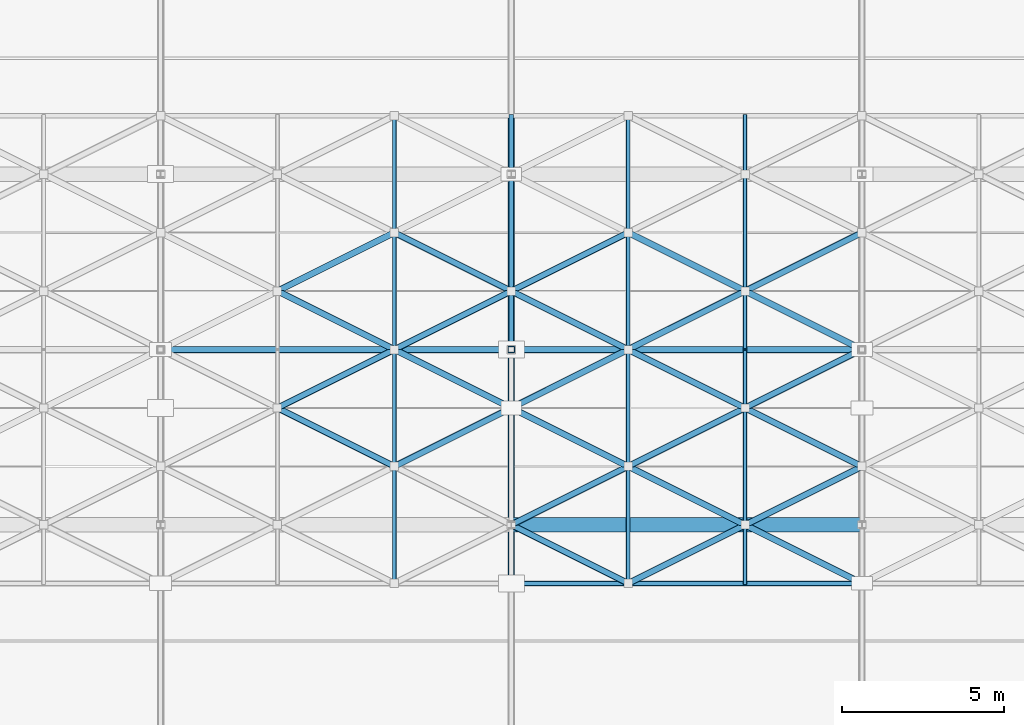
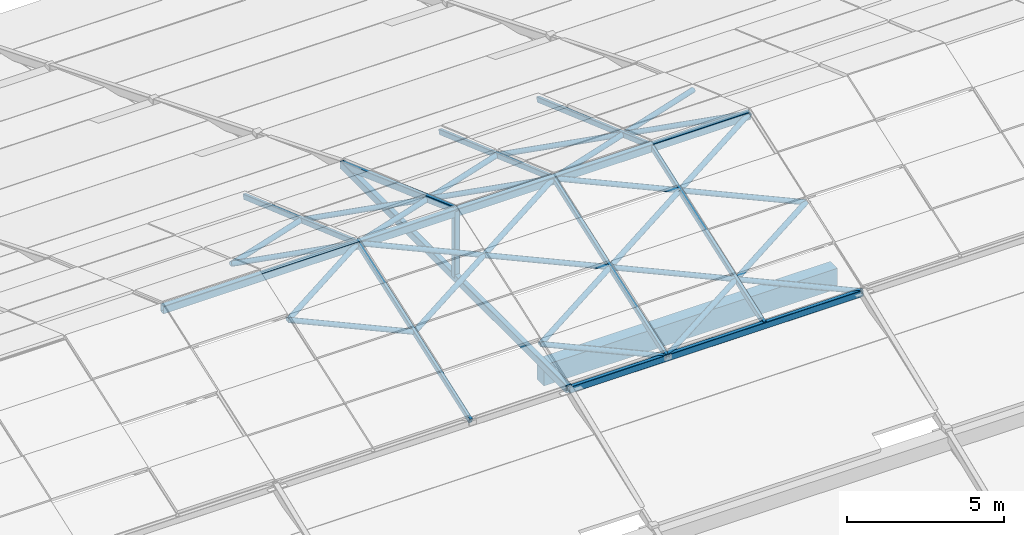
# One storey, part 45 of 112: 38 members, 1 beam.
"""IFC4 building model written with IfcOpenShell, lengths in metres."""

from ifc_helpers import new_model, si_unit, direction, frame, origin, origin_2d, place, context, subcontext, project, spatial, rectangle, hollow_rectangle, hollow_circle, extrude, material, material_profile, profile_set, type_object, element, save


model = new_model("IFC4")

# Units and contexts
model_context = context("Model", 3, precision=1e-05, world=origin(), true_north=direction((0.0, 1.0)))
body_context = subcontext(model_context, "Body", "Model", "MODEL_VIEW")
ifc_project = project(units=[si_unit("LENGTHUNIT", "METRE"), si_unit("AREAUNIT", "SQUARE_METRE"), si_unit("VOLUMEUNIT", "CUBIC_METRE"), si_unit("PLANEANGLEUNIT", "RADIAN"), si_unit("MASSUNIT", "GRAM", prefix="KILO")], contexts=[model_context])

# Site, building, storey
site_placement = place(None, origin())
site = spatial("IfcSite", under=ifc_project, at=site_placement, CompositionType="ELEMENT")
building_placement = place(site_placement, origin())
building = spatial("IfcBuilding", under=site, at=building_placement, Name="Zwinboog Wholesale Market", CompositionType="ELEMENT")
storey_placement = place(building_placement, frame((0.0, 0.0, 19.080078125)))
storey = spatial("IfcBuildingStorey", under=building, at=storey_placement, Name="Roof", CompositionType="ELEMENT", Elevation=19.080078125)

# Beam
ifc_material_1 = material(Name="Precast concrete C45/55", Category="concrete")
ifc_material_profile_1 = material_profile(ifc_material_1, rectangle(XDim=0.449951171875, YDim=0.800048828125, at=origin_2d()), Name="PC 450x800")
ifc_profile_set_1 = profile_set([ifc_material_profile_1], Name="Precast concrete C45/55")
beam_type = type_object("IfcBeamType", Name="BT-07", PredefinedType="BEAM", material=ifc_profile_set_1)
beam_placement = place(storey_placement, frame((118.800048828125, 70.199951171875, 0.16796875), z_axis=(1.0, 0.0, 0.0), x_axis=(0.0, 1.0, 0.0)))
element("IfcBeam", 1, at=beam_placement, inside=storey, type_object=beam_type, Name="EB-02 (BMG-Roof-1188-0702-1106)", PredefinedType="BEAM", context=body_context, shape_type="SweptSolid", body=[
    extrude(rectangle(XDim=0.449951171875, YDim=0.800048828125, at=origin_2d()), origin(), (0.0, 0.0, 1.0), 10.800048828125),
])

# Members
ifc_material_2 = material(Name="Steel S355", Category="steel")
ifc_material_profile_2 = material_profile(ifc_material_2, hollow_rectangle(XDim=0.199951171875, YDim=0.300048828125, WallThickness=0.012451171875, InnerFilletRadius=0.012451171875, OuterFilletRadius=0.02490234375, at=origin_2d()), Name="RHS 300x200x12.5")
ifc_profile_set_2 = profile_set([ifc_material_profile_2], Name="Steel S355")
member_type_1 = type_object("IfcMemberType", Name="MT-01", PredefinedType="CHORD", material=ifc_profile_set_2)
member_1_placement = place(storey_placement, frame((118.800048828125, 68.39990234375, 0.619873046875), z_axis=(0.0, 1.0, 0.0), x_axis=(-1.0, 0.0, 0.0)))
element("IfcMember", 2, at=member_1_placement, inside=storey, type_object=member_type_1, Name="DC-01 (MEM-Roof-0177)", PredefinedType="CHORD", context=body_context, shape_type="SweptSolid", body=[
    extrude(hollow_rectangle(XDim=0.199951171875, YDim=0.300048828125, WallThickness=0.012451171875, InnerFilletRadius=0.012451171875, OuterFilletRadius=0.02490234375, at=origin_2d()), origin(), (0.0, 0.0, 1.0), 14.400146484375),
])
for number, where, z_axis, x_axis, name in (
    (3, (108.0, 75.60009765625, 3.139892578125), (1.0, 0.0, 0.0), (0.0, 1.0, 0.0), "DC-01 (MEM-Roof-0343)"),
    (4, (118.800048828125, 75.60009765625, 3.139892578125), (1.0, 0.0, 0.0), (0.0, 1.0, 0.0), "DC-01 (MEM-Roof-0346)"),
):
    element("IfcMember", number, at=place(storey_placement, frame(where, z_axis=z_axis, x_axis=x_axis)), inside=storey, type_object=member_type_1, Name=name, PredefinedType="CHORD", context=body_context, shape_type="SweptSolid", body=[
        extrude(hollow_rectangle(XDim=0.199951171875, YDim=0.300048828125, WallThickness=0.012451171875, InnerFilletRadius=0.012451171875, OuterFilletRadius=0.02490234375, at=origin_2d()), origin(), (0.0, 0.0, 1.0), 10.800048828125),
    ])
ifc_material_profile_3 = material_profile(ifc_material_2, hollow_rectangle(XDim=0.14990234375, YDim=0.25, WallThickness=0.010009765625, InnerFilletRadius=0.010009765625, OuterFilletRadius=0.02001953125, at=origin_2d()), Name="RHS 250x150x10")
ifc_profile_set_3 = profile_set([ifc_material_profile_3], Name="Steel S355")
member_type_2 = type_object("IfcMemberType", Name="MT-02", PredefinedType="CHORD", material=ifc_profile_set_3)
member_2_placement = place(storey_placement, frame((118.800048828125, 82.800048828125, 0.619873046875), z_axis=(0.0, -0.940549088473, 0.339657786858), x_axis=(1.0, 0.0, 0.0)))
element("IfcMember", 5, at=member_2_placement, inside=storey, type_object=member_type_2, Name="DC-02 (MEM-Roof-0180)", PredefinedType="CHORD", context=body_context, shape_type="SweptSolid", body=[
    extrude(hollow_rectangle(XDim=0.14990234375, YDim=0.25, WallThickness=0.010009765625, InnerFilletRadius=0.010009765625, OuterFilletRadius=0.02001953125, at=origin_2d()), origin(), (0.0, 0.0, 1.0), 7.655029296875),
])
member_3_placement = place(storey_placement, frame((118.800048828125, 68.39990234375, 0.58984375), z_axis=(1.0, 0.0, 0.0), x_axis=(0.0, 1.0, 0.0)))
element("IfcMember", 6, at=member_3_placement, inside=storey, type_object=member_type_2, Name="DC-02 (MEM-Roof-0347)", PredefinedType="CHORD", context=body_context, shape_type="SweptSolid", body=[
    extrude(hollow_rectangle(XDim=0.14990234375, YDim=0.25, WallThickness=0.010009765625, InnerFilletRadius=0.010009765625, OuterFilletRadius=0.02001953125, at=origin_2d()), origin(), (0.0, 0.0, 1.0), 10.800048828125),
])
ifc_material_profile_4 = material_profile(ifc_material_2, hollow_rectangle(XDim=0.1201171875, YDim=0.199951171875, WallThickness=0.008056640625, InnerFilletRadius=0.008056640625, OuterFilletRadius=0.01611328125, at=origin_2d()), Name="RHS 200x120x8")
ifc_profile_set_4 = profile_set([ifc_material_profile_4], Name="Steel S355")
member_type_3 = type_object("IfcMemberType", Name="MT-03", PredefinedType="CHORD", material=ifc_profile_set_4)
member_4_placement = place(storey_placement, frame((115.199951171875, 68.39990234375, 0.6298828125), z_axis=(0.0, 0.942628063348, 0.333844775589), x_axis=(-1.0, 0.0, 0.0)))
element("IfcMember", 7, at=member_4_placement, inside=storey, type_object=member_type_3, Name="DC-03 (MEM-Roof-0501)", PredefinedType="CHORD", context=body_context, shape_type="SweptSolid", body=[
    extrude(hollow_rectangle(XDim=0.1201171875, YDim=0.199951171875, WallThickness=0.008056640625, InnerFilletRadius=0.008056640625, OuterFilletRadius=0.01611328125, at=origin_2d()), origin(), (0.0, 0.0, 1.0), 7.638427734375),
])
member_5_placement = place(storey_placement, frame((115.199951171875, 82.800048828125, 0.6298828125), z_axis=(0.0, -0.94262450093, 0.333854834092), x_axis=(1.0, 0.0, 0.0)))
element("IfcMember", 8, at=member_5_placement, inside=storey, type_object=member_type_3, Name="DC-03 (MEM-Roof-0502)", PredefinedType="CHORD", context=body_context, shape_type="SweptSolid", body=[
    extrude(hollow_rectangle(XDim=0.1201171875, YDim=0.199951171875, WallThickness=0.008056640625, InnerFilletRadius=0.008056640625, OuterFilletRadius=0.01611328125, at=origin_2d()), origin(), (0.0, 0.0, 1.0), 7.63818359375),
])
member_6_placement = place(storey_placement, frame((122.39990234375, 68.39990234375, 0.6298828125), z_axis=(0.0, 0.942628063348, 0.333844775589), x_axis=(-1.0, 0.0, 0.0)))
element("IfcMember", 9, at=member_6_placement, inside=storey, type_object=member_type_3, Name="DC-03 (MEM-Roof-0521)", PredefinedType="CHORD", context=body_context, shape_type="SweptSolid", body=[
    extrude(hollow_rectangle(XDim=0.1201171875, YDim=0.199951171875, WallThickness=0.008056640625, InnerFilletRadius=0.008056640625, OuterFilletRadius=0.01611328125, at=origin_2d()), origin(), (0.0, 0.0, 1.0), 7.638427734375),
])
member_7_placement = place(storey_placement, frame((122.39990234375, 82.800048828125, 0.6298828125), z_axis=(0.0, -0.94262450093, 0.333854834092), x_axis=(1.0, 0.0, 0.0)))
element("IfcMember", 10, at=member_7_placement, inside=storey, type_object=member_type_3, Name="DC-03 (MEM-Roof-0522)", PredefinedType="CHORD", context=body_context, shape_type="SweptSolid", body=[
    extrude(hollow_rectangle(XDim=0.1201171875, YDim=0.199951171875, WallThickness=0.008056640625, InnerFilletRadius=0.008056640625, OuterFilletRadius=0.01611328125, at=origin_2d()), origin(), (0.0, 0.0, 1.0), 7.63818359375),
])
member_8_placement = place(storey_placement, frame((126.0, 68.39990234375, 0.6298828125), z_axis=(0.0, 0.942628063348, 0.333844775589), x_axis=(-1.0, 0.0, 0.0)))
element("IfcMember", 11, at=member_8_placement, inside=storey, type_object=member_type_3, Name="DC-03 (MEM-Roof-0531)", PredefinedType="CHORD", context=body_context, shape_type="SweptSolid", body=[
    extrude(hollow_rectangle(XDim=0.1201171875, YDim=0.199951171875, WallThickness=0.008056640625, InnerFilletRadius=0.008056640625, OuterFilletRadius=0.01611328125, at=origin_2d()), origin(), (0.0, 0.0, 1.0), 7.638427734375),
])
member_9_placement = place(storey_placement, frame((126.0, 82.800048828125, 0.6298828125), z_axis=(0.0, -0.94262450093, 0.333854834092), x_axis=(1.0, 0.0, 0.0)))
element("IfcMember", 12, at=member_9_placement, inside=storey, type_object=member_type_3, Name="DC-03 (MEM-Roof-0532)", PredefinedType="CHORD", context=body_context, shape_type="SweptSolid", body=[
    extrude(hollow_rectangle(XDim=0.1201171875, YDim=0.199951171875, WallThickness=0.008056640625, InnerFilletRadius=0.008056640625, OuterFilletRadius=0.01611328125, at=origin_2d()), origin(), (0.0, 0.0, 1.0), 7.63818359375),
])
ifc_material_profile_5 = material_profile(ifc_material_2, hollow_rectangle(XDim=0.199951171875, YDim=0.199951171875, WallThickness=0.010009765625, InnerFilletRadius=0.010009765625, OuterFilletRadius=0.02001953125, at=origin_2d()), Name="SHS 200x200x10")
ifc_profile_set_5 = profile_set([ifc_material_profile_5], Name="Steel S355")
member_type_4 = type_object("IfcMemberType", Name="MT-04", PredefinedType="BRACE", material=ifc_profile_set_5)
member_10_placement = place(storey_placement, frame((118.800048828125, 75.60009765625, 0.619873046875), z_axis=(0.0, 0.0, 1.0), x_axis=(1.0, 0.0, 0.0)))
element("IfcMember", 13, at=member_10_placement, inside=storey, type_object=member_type_4, Name="DB-01 (MEM-Roof-0178)", PredefinedType="BRACE", context=body_context, shape_type="SweptSolid", body=[
    extrude(hollow_rectangle(XDim=0.199951171875, YDim=0.199951171875, WallThickness=0.010009765625, InnerFilletRadius=0.010009765625, OuterFilletRadius=0.02001953125, at=origin_2d()), origin(), (0.0, 0.0, 1.0), 2.60009765625),
])
ifc_material_profile_6 = material_profile(ifc_material_2, hollow_circle(Radius=0.096923828125, WallThickness=0.010009765625, at=origin_2d()), Name="CHS 193.7x10")
ifc_profile_set_6 = profile_set([ifc_material_profile_6], Name="Steel S355")
member_type_5 = type_object("IfcMemberType", Name="MT-06", PredefinedType="BRACE", material=ifc_profile_set_6)
for number, where, z_axis, x_axis, name in (
    (14, (111.60009765625, 73.800048828125, 2.54248046875), (0.883403888637, -0.441731900368, -0.15643048852), (0.447237858884, 0.894415058897, 0.0), "DB-03 (MEM-Roof-0495)"),
    (15, (111.60009765625, 73.800048828125, 2.54248046875), (0.883403888637, 0.441731900368, 0.15643048852), (-0.447237858884, 0.894415058897, 0.0), "DB-03 (MEM-Roof-0496)"),
    (16, (111.60009765625, 77.39990234375, 2.54248046875), (0.883427267339, -0.441683676827, 0.15643462835), (0.447189331129, 0.894439322774, 0.0), "DB-03 (MEM-Roof-0497)"),
    (17, (111.60009765625, 77.39990234375, 2.54248046875), (0.883403888637, 0.441731900368, -0.15643048852), (-0.447237858884, 0.894415058897, 0.0), "DB-03 (MEM-Roof-0498)"),
):
    element("IfcMember", number, at=place(storey_placement, frame(where, z_axis=z_axis, x_axis=x_axis)), inside=storey, type_object=member_type_5, Name=name, PredefinedType="BRACE", context=body_context, shape_type="SweptSolid", body=[
        extrude(hollow_circle(Radius=0.096923828125, WallThickness=0.010009765625, at=origin_2d()), origin(), (0.0, 0.0, 1.0), 4.074951171875),
    ])
for number, where, z_axis, x_axis, name in (
    (18, (115.199951171875, 72.0, 1.905029296875), (0.883417044144, 0.441708522072, 0.156422209566), (-0.4472135955, 0.894427191, 0.0), "DB-03 (MEM-Roof-0505)"),
    (19, (115.199951171875, 75.60009765625, 3.179931640625), (0.883417044144, -0.441708522072, -0.156422209566), (0.4472135955, 0.894427191, 0.0), "DB-03 (MEM-Roof-0506)"),
    (20, (115.199951171875, 75.60009765625, 3.179931640625), (0.883440420719, 0.441660299847, -0.156426348738), (-0.447165069061, 0.894451452574, 0.0), "DB-03 (MEM-Roof-0507)"),
    (21, (115.199951171875, 79.199951171875, 1.905029296875), (0.883417044144, -0.441708522072, 0.156422209566), (0.4472135955, 0.894427191, 0.0), "DB-03 (MEM-Roof-0508)"),
):
    element("IfcMember", number, at=place(storey_placement, frame(where, z_axis=z_axis, x_axis=x_axis)), inside=storey, type_object=member_type_5, Name=name, PredefinedType="BRACE", context=body_context, shape_type="SweptSolid", body=[
        extrude(hollow_circle(Radius=0.096923828125, WallThickness=0.010009765625, at=origin_2d()), origin(), (0.0, 0.0, 1.0), 4.0751953125),
    ])
for number, where, z_axis, x_axis, name in (
    (22, (118.800048828125, 70.199951171875, 1.267333984375), (0.883403888637, -0.441731900368, -0.15643048852), (0.447237858884, 0.894415058897, 0.0), "DB-03 (MEM-Roof-0513)"),
    (23, (118.800048828125, 70.199951171875, 1.267333984375), (0.883395607837, 0.441727759687, 0.156488933718), (-0.447237858884, 0.894415058897, 0.0), "DB-03 (MEM-Roof-0514)"),
    (24, (118.800048828125, 73.800048828125, 2.54248046875), (0.883403888637, -0.441731900368, -0.15643048852), (0.447237858884, 0.894415058897, 0.0), "DB-03 (MEM-Roof-0515)"),
    (25, (118.800048828125, 73.800048828125, 2.54248046875), (0.883403888637, 0.441731900368, 0.15643048852), (-0.447237858884, 0.894415058897, 0.0), "DB-03 (MEM-Roof-0516)"),
    (26, (118.800048828125, 77.39990234375, 2.54248046875), (0.883427267339, -0.441683676827, 0.15643462835), (0.447189331129, 0.894439322774, 0.0), "DB-03 (MEM-Roof-0517)"),
    (27, (118.800048828125, 77.39990234375, 2.54248046875), (0.883403888637, 0.441731900368, -0.15643048852), (-0.447237858884, 0.894415058897, 0.0), "DB-03 (MEM-Roof-0518)"),
):
    element("IfcMember", number, at=place(storey_placement, frame(where, z_axis=z_axis, x_axis=x_axis)), inside=storey, type_object=member_type_5, Name=name, PredefinedType="BRACE", context=body_context, shape_type="SweptSolid", body=[
        extrude(hollow_circle(Radius=0.096923828125, WallThickness=0.010009765625, at=origin_2d()), origin(), (0.0, 0.0, 1.0), 4.074951171875),
    ])
for number, where, z_axis, x_axis, name in (
    (28, (122.39990234375, 68.39990234375, 0.6298828125), (0.883417044144, 0.441708522072, 0.156422209566), (-0.4472135955, 0.894427191, 0.0), "DB-03 (MEM-Roof-0523)"),
    (29, (122.39990234375, 72.0, 1.905029296875), (0.883408764097, -0.441704382048, -0.156480651826), (0.4472135955, 0.894427191, 0.0), "DB-03 (MEM-Roof-0524)"),
    (30, (122.39990234375, 72.0, 1.905029296875), (0.883417044144, 0.441708522072, 0.156422209566), (-0.4472135955, 0.894427191, 0.0), "DB-03 (MEM-Roof-0525)"),
    (31, (122.39990234375, 75.60009765625, 3.179931640625), (0.883417044144, -0.441708522072, -0.156422209566), (0.4472135955, 0.894427191, 0.0), "DB-03 (MEM-Roof-0526)"),
    (32, (122.39990234375, 75.60009765625, 3.179931640625), (0.883440420719, 0.441660299847, -0.156426348738), (-0.447165069061, 0.894451452574, 0.0), "DB-03 (MEM-Roof-0527)"),
    (33, (122.39990234375, 79.199951171875, 1.905029296875), (0.883417044144, -0.441708522072, 0.156422209566), (0.4472135955, 0.894427191, 0.0), "DB-03 (MEM-Roof-0528)"),
    (34, (126.0, 70.199951171875, 1.267333984375), (0.883417044144, -0.441708522072, -0.156422209566), (0.4472135955, 0.894427191, 0.0), "DB-03 (MEM-Roof-0533)"),
    (35, (126.0, 70.199951171875, 1.267333984375), (0.883408764097, 0.441704382048, 0.156480651826), (-0.4472135955, 0.894427191, 0.0), "DB-03 (MEM-Roof-0534)"),
    (36, (126.0, 73.800048828125, 2.54248046875), (0.883417044144, -0.441708522072, -0.156422209566), (0.4472135955, 0.894427191, 0.0), "DB-03 (MEM-Roof-0535)"),
    (37, (126.0, 73.800048828125, 2.54248046875), (0.883417044144, 0.441708522072, 0.156422209566), (-0.4472135955, 0.894427191, 0.0), "DB-03 (MEM-Roof-0536)"),
    (38, (126.0, 77.39990234375, 2.54248046875), (0.883440420719, -0.441660299847, 0.156426348738), (0.447165069061, 0.894451452574, 0.0), "DB-03 (MEM-Roof-0537)"),
    (39, (126.0, 77.39990234375, 2.54248046875), (0.883417044144, 0.441708522072, -0.156422209566), (-0.4472135955, 0.894427191, 0.0), "DB-03 (MEM-Roof-0538)"),
):
    element("IfcMember", number, at=place(storey_placement, frame(where, z_axis=z_axis, x_axis=x_axis)), inside=storey, type_object=member_type_5, Name=name, PredefinedType="BRACE", context=body_context, shape_type="SweptSolid", body=[
        extrude(hollow_circle(Radius=0.096923828125, WallThickness=0.010009765625, at=origin_2d()), origin(), (0.0, 0.0, 1.0), 4.0751953125),
    ])

save(model, "model.ifc")
